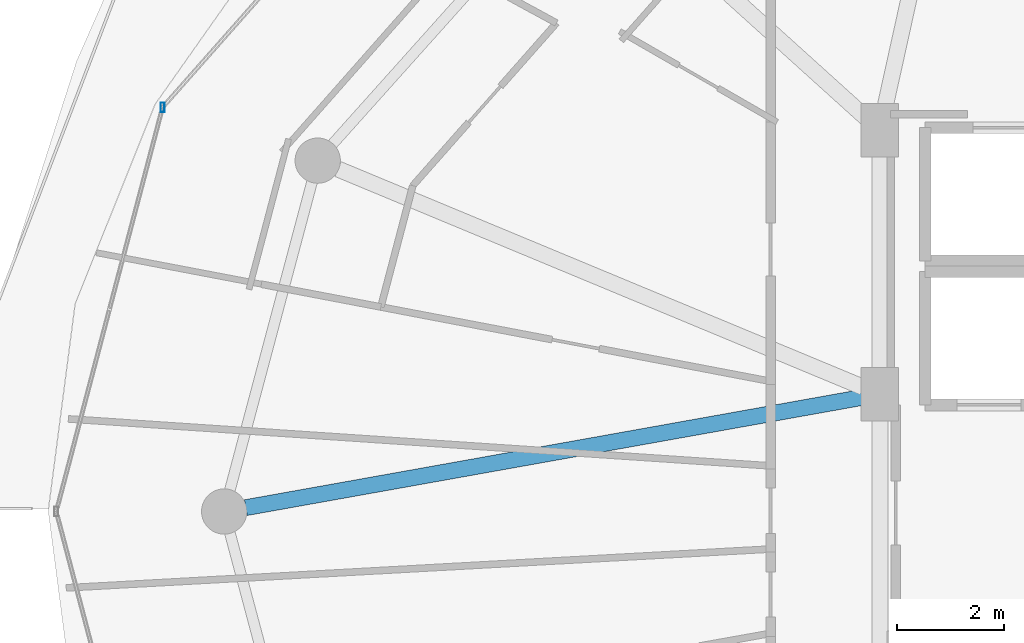
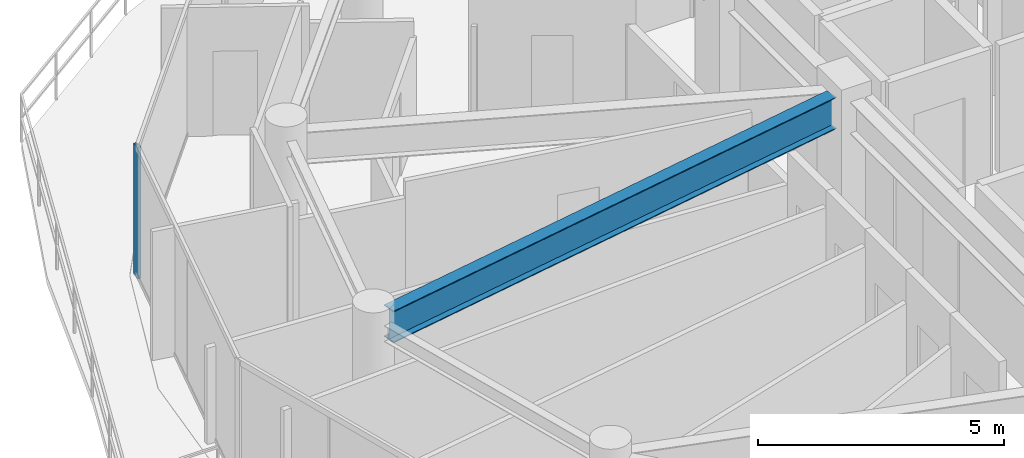
# One storey, part 6 of 25: 1 beam, 1 member, 1 element without a shape of its own.
"""IFC4 building model written with IfcOpenShell, lengths in metres."""

from ifc_helpers import new_model, si_unit, direction, frame, origin, origin_2d, place, context, subcontext, project, spatial, hollow_rectangle, i_section, extrude, material, material_profile, profile_set, type_object, element, aggregate, save


model = new_model("IFC4")

# Units and contexts
model_context = context("Model", 3, precision=1e-05, world=origin(), true_north=direction((0.0, 1.0)))
body_context = subcontext(model_context, "Body", "Model", "MODEL_VIEW")
ifc_project = project(units=[si_unit("LENGTHUNIT", "METRE"), si_unit("AREAUNIT", "SQUARE_METRE"), si_unit("VOLUMEUNIT", "CUBIC_METRE"), si_unit("PLANEANGLEUNIT", "RADIAN"), si_unit("MASSUNIT", "GRAM", prefix="KILO")], contexts=[model_context])

# Site, building, storey
site_placement = place(None, origin())
site = spatial("IfcSite", under=ifc_project, at=site_placement, CompositionType="ELEMENT")
building_placement = place(site_placement, origin())
building = spatial("IfcBuilding", under=site, at=building_placement, Name="Vorneva Point Tower", CompositionType="ELEMENT")
storey_placement = place(building_placement, frame((0.0, 0.0, 276.85009765625)))
storey = spatial("IfcBuildingStorey", under=building, at=storey_placement, Name="L75", CompositionType="ELEMENT", Elevation=276.85009765625)

# Beam
ifc_material_1 = material(Name="Steel S355", Category="steel")
ifc_material_profile_1 = material_profile(ifc_material_1, i_section(OverallWidth=0.300048828125, OverallDepth=0.7880859375, WebThickness=0.014404296875, FlangeThickness=0.02197265625, at=origin_2d()), Name="80Sh1")
ifc_profile_set_1 = profile_set([ifc_material_profile_1], Name="Steel S355")
beam_type = type_object("IfcBeamType", Name="BM-GRD-80Sh1", PredefinedType="USERDEFINED", material=ifc_profile_set_1)
beam_placement = place(storey_placement, frame((15.3564453125, 26.07275390625, 2.7958984375), z_axis=(0.9843788355, 0.17606336422, 0.0), x_axis=(-0.17606336422, 0.9843788355, 0.0)))
element("IfcBeam", 1, at=beam_placement, inside=storey, type_object=beam_type, Name="L75 Radial Primary Girder 09", ObjectType="GIRDER", PredefinedType="USERDEFINED", context=body_context, shape_type="SweptSolid", body=[
    extrude(i_section(OverallWidth=0.300048828125, OverallDepth=0.7880859375, WebThickness=0.014404296875, FlangeThickness=0.02197265625, at=origin_2d()), origin(), (0.0, 0.0, 1.0), 11.7421875),
])

# Curtain wall, member
ifc_material_2 = material(Name="Pale anodised aluminium", Category="aluminium")
curtain_wall_type = type_object("IfcCurtainWallType", Name="CW-RES-SYS", PredefinedType="NOTDEFINED", material=ifc_material_2)
curtain_wall_placement = place(storey_placement, origin())
curtain_wall = element("IfcCurtainWall", 2, at=curtain_wall_placement, inside=storey, type_object=curtain_wall_type, Name="L75 Unitised Curtain Wall CW-L75-R03", PredefinedType="NOTDEFINED")
ifc_material_profile_2 = material_profile(ifc_material_2, hollow_rectangle(XDim=0.074951171875, YDim=0.179931640625, WallThickness=0.00390625, at=origin_2d()), Name="AL-MUL 180x75x4")
ifc_profile_set_2 = profile_set([ifc_material_profile_2], Name="Pale anodised aluminium")
member_type = type_object("IfcMemberType", Name="CW-MUL-180", PredefinedType="MULLION", material=ifc_profile_set_2)
member_placement = place(storey_placement, frame((13.79443359375, 33.5810546875, -0.0400390625), z_axis=(0.0, 0.0, 1.0), x_axis=(1.0, 0.0, 0.0)))
member = element("IfcMember", 3, at=member_placement, type_object=member_type, Name="CW-L75-R03 Mullion 02", PredefinedType="MULLION", context=body_context, shape_type="SweptSolid", body=[
    extrude(hollow_rectangle(XDim=0.074951171875, YDim=0.179931640625, WallThickness=0.00390625, at=origin_2d()), origin(), (0.0, 0.0, 1.0), 3.260009765625),
])
aggregate(curtain_wall, [member])

save(model, "model.ifc")
